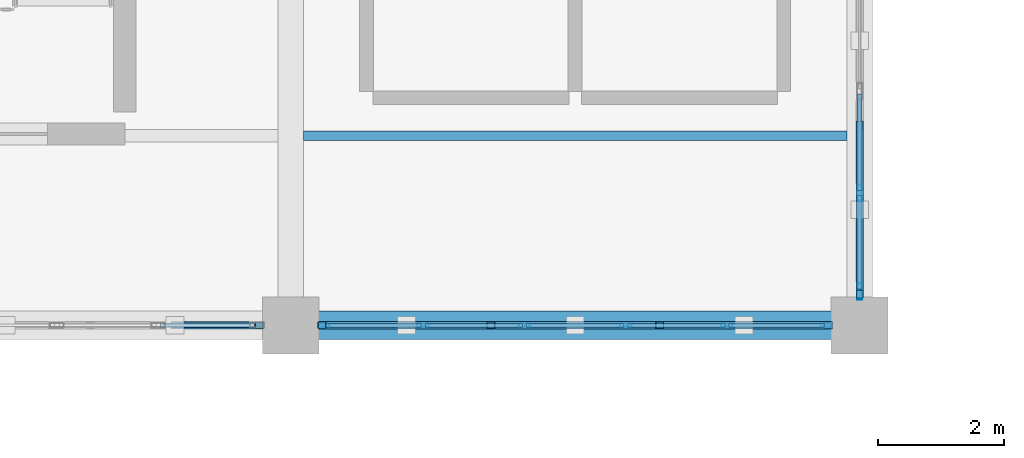
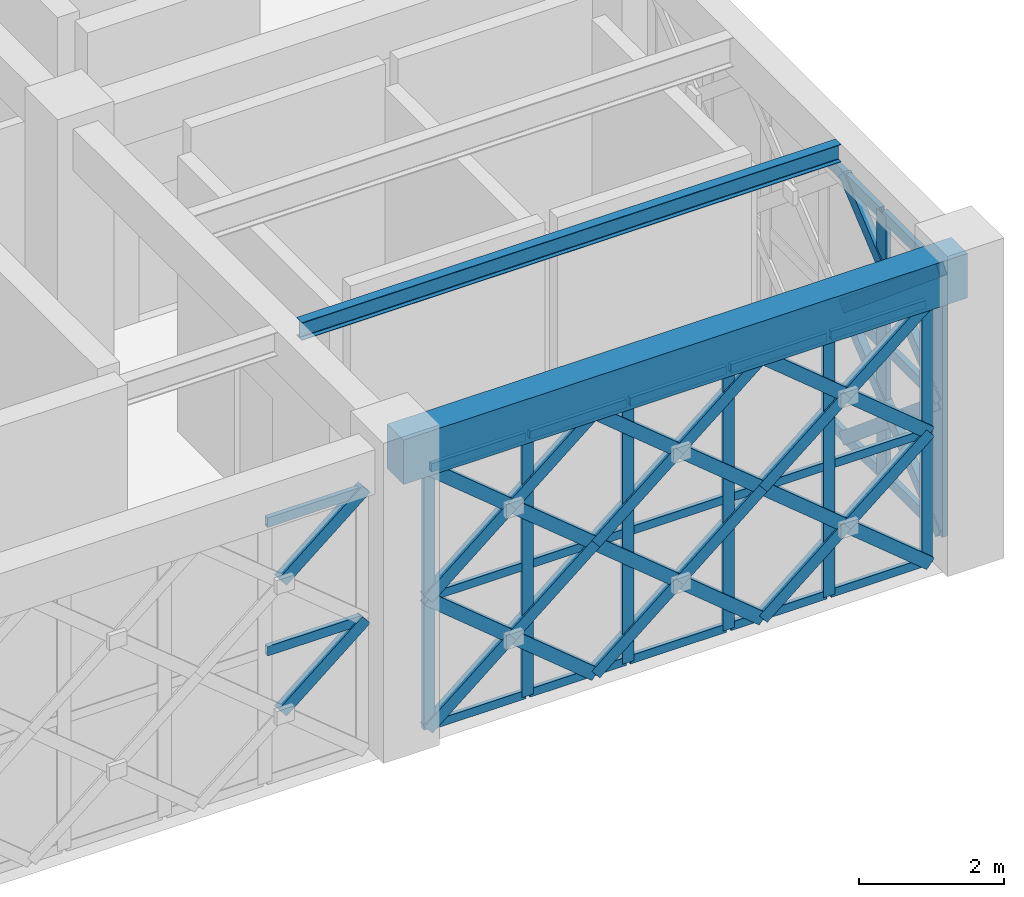
# One storey, part 97 of 155: 57 members, 2 beams, 3 elements without a shape of their own.
"""IFC4 building model written with IfcOpenShell, lengths in metres."""

from ifc_helpers import new_model, si_unit, direction, frame, origin, origin_2d, place, context, subcontext, project, spatial, rectangle, hollow_rectangle, i_section, extrude, material, material_profile, profile_set, type_object, element, aggregate, save


model = new_model("IFC4")

# Units and contexts
model_context = context("Model", 3, precision=1e-05, world=origin(), true_north=direction((0.0, 1.0)))
body_context = subcontext(model_context, "Body", "Model", "MODEL_VIEW")
ifc_project = project(units=[si_unit("LENGTHUNIT", "METRE"), si_unit("AREAUNIT", "SQUARE_METRE"), si_unit("VOLUMEUNIT", "CUBIC_METRE"), si_unit("PLANEANGLEUNIT", "RADIAN"), si_unit("MASSUNIT", "GRAM", prefix="KILO")], contexts=[model_context])

# Site, building, storey
site_placement = place(None, origin())
site = spatial("IfcSite", under=ifc_project, at=site_placement, CompositionType="ELEMENT")
building_placement = place(site_placement, origin())
building = spatial("IfcBuilding", under=site, at=building_placement, Name="Haizhuo Lancet Aquarium", CompositionType="ELEMENT")
storey_placement = place(building_placement, frame((0.0, 0.0, 10.800048828125)))
storey = spatial("IfcBuildingStorey", under=building, at=storey_placement, Name="L02", CompositionType="ELEMENT", Elevation=10.800048828125)

# Beam
ifc_material_1 = material(Name="Concrete C40/50", Category="concrete")
ifc_material_profile_1 = material_profile(ifc_material_1, rectangle(XDim=0.449951171875, YDim=0.75, at=origin_2d()), Name="RC-BM 450x750")
ifc_profile_set_1 = profile_set([ifc_material_profile_1], Name="Concrete C40/50")
beam_type_1 = type_object("IfcBeamType", Name="BM-RC-450x750", PredefinedType="BEAM", material=ifc_profile_set_1)
beam_1_placement = place(storey_placement, frame((63.0, -27.0, 4.784912109375), z_axis=(1.0, 0.0, 0.0), x_axis=(0.0, 1.0, 0.0)))
element("IfcBeam", 1, at=beam_1_placement, inside=storey, type_object=beam_type_1, Name="L02 V3 primary girder BM-L02-V3-023", PredefinedType="BEAM", context=body_context, shape_type="SweptSolid", body=[
    extrude(rectangle(XDim=0.449951171875, YDim=0.75, at=origin_2d()), origin(), (0.0, 0.0, 1.0), 9.0),
])

# Curtain wall, members
ifc_material_2 = material(Name="Aluminium 6063-T6", Category="aluminium")
curtain_wall_type_1 = type_object("IfcCurtainWallType", Name="CWO-8010x4410", PredefinedType="NOTDEFINED", material=ifc_material_2)
curtain_wall_1_placement = place(storey_placement, origin())
curtain_wall_1 = element("IfcCurtainWall", 2, at=curtain_wall_1_placement, inside=storey, type_object=curtain_wall_type_1, Name="L02 curtain wall CW-V3-L02-058", PredefinedType="NOTDEFINED")
ifc_material_profile_2 = material_profile(ifc_material_2, hollow_rectangle(XDim=0.06494140625, YDim=0.179931640625, WallThickness=0.00390625, at=origin_2d()), Name="ALU-M 65x180x4")
ifc_profile_set_2 = profile_set([ifc_material_profile_2], Name="Aluminium 6063-T6")
member_type_1 = type_object("IfcMemberType", Name="CW-MUL-1", PredefinedType="MULLION", material=ifc_profile_set_2)
member_1_placement = place(storey_placement, frame((71.471923828125, -27.0, 0.0), z_axis=(0.0, 0.0, 1.0), x_axis=(0.0, -1.0, 0.0)))
member_1 = element("IfcMember", 3, at=member_1_placement, type_object=member_type_1, Name="CWO-80x44 mullion 1", PredefinedType="MULLION", context=body_context, shape_type="SweptSolid", body=[
    extrude(hollow_rectangle(XDim=0.06494140625, YDim=0.179931640625, WallThickness=0.00390625, at=origin_2d()), origin(), (0.0, 0.0, 1.0), 4.409912109375),
])
member_2_placement = place(storey_placement, frame((69.903076171875, -27.0, 0.0), z_axis=(0.0, 0.0, 1.0), x_axis=(0.0, -1.0, 0.0)))
member_2 = element("IfcMember", 4, at=member_2_placement, type_object=member_type_1, Name="CWO-80x44 mullion 2", PredefinedType="MULLION", context=body_context, shape_type="SweptSolid", body=[
    extrude(hollow_rectangle(XDim=0.06494140625, YDim=0.179931640625, WallThickness=0.00390625, at=origin_2d()), origin(), (0.0, 0.0, 1.0), 4.409912109375),
])
member_3_placement = place(storey_placement, frame((68.301025390625, -27.0, 0.0), z_axis=(0.0, 0.0, 1.0), x_axis=(0.0, -1.0, 0.0)))
member_3 = element("IfcMember", 5, at=member_3_placement, type_object=member_type_1, Name="CWO-80x44 mullion 3", PredefinedType="MULLION", context=body_context, shape_type="SweptSolid", body=[
    extrude(hollow_rectangle(XDim=0.06494140625, YDim=0.179931640625, WallThickness=0.00390625, at=origin_2d()), origin(), (0.0, 0.0, 1.0), 4.409912109375),
])
member_4_placement = place(storey_placement, frame((66.698974609375, -27.0, 0.0), z_axis=(0.0, 0.0, 1.0), x_axis=(0.0, -1.0, 0.0)))
member_4 = element("IfcMember", 6, at=member_4_placement, type_object=member_type_1, Name="CWO-80x44 mullion 4", PredefinedType="MULLION", context=body_context, shape_type="SweptSolid", body=[
    extrude(hollow_rectangle(XDim=0.06494140625, YDim=0.179931640625, WallThickness=0.00390625, at=origin_2d()), origin(), (0.0, 0.0, 1.0), 4.409912109375),
])
member_5_placement = place(storey_placement, frame((65.096923828125, -27.0, 0.0), z_axis=(0.0, 0.0, 1.0), x_axis=(0.0, -1.0, 0.0)))
member_5 = element("IfcMember", 7, at=member_5_placement, type_object=member_type_1, Name="CWO-80x44 mullion 5", PredefinedType="MULLION", context=body_context, shape_type="SweptSolid", body=[
    extrude(hollow_rectangle(XDim=0.06494140625, YDim=0.179931640625, WallThickness=0.00390625, at=origin_2d()), origin(), (0.0, 0.0, 1.0), 4.409912109375),
])
member_6_placement = place(storey_placement, frame((63.527099609375, -27.0, 0.0), z_axis=(0.0, 0.0, 1.0), x_axis=(0.0, -1.0, 0.0)))
member_6 = element("IfcMember", 8, at=member_6_placement, type_object=member_type_1, Name="CWO-80x44 mullion 6", PredefinedType="MULLION", context=body_context, shape_type="SweptSolid", body=[
    extrude(hollow_rectangle(XDim=0.06494140625, YDim=0.179931640625, WallThickness=0.00390625, at=origin_2d()), origin(), (0.0, 0.0, 1.0), 4.409912109375),
])

curtain_wall_type_2 = type_object("IfcCurtainWallType", Name="CWO-8010x4460", PredefinedType="NOTDEFINED", material=ifc_material_2)
curtain_wall_2_placement = place(storey_placement, origin())
curtain_wall_2 = element("IfcCurtainWall", 9, at=curtain_wall_2_placement, inside=storey, type_object=curtain_wall_type_2, Name="L02 curtain wall CW-V3-L02-057", PredefinedType="NOTDEFINED")
ifc_material_profile_3 = material_profile(ifc_material_2, hollow_rectangle(XDim=0.080078125, YDim=0.260009765625, WallThickness=0.0048828125, at=origin_2d()), Name="ALU-M 80x260x5")
ifc_profile_set_3 = profile_set([ifc_material_profile_3], Name="Aluminium 6063-T6")
member_type_2 = type_object("IfcMemberType", Name="CW-MUL-3", PredefinedType="MULLION", material=ifc_profile_set_3)
member_7_placement = place(storey_placement, frame((72.0, -24.903076171875, 0.0), z_axis=(0.0, 0.0, 1.0), x_axis=(1.0, 0.0, 0.0)))
member_7 = element("IfcMember", 10, at=member_7_placement, type_object=member_type_2, Name="CWO-80x44 mullion 5", PredefinedType="MULLION", context=body_context, shape_type="SweptSolid", body=[
    extrude(hollow_rectangle(XDim=0.080078125, YDim=0.260009765625, WallThickness=0.0048828125, at=origin_2d()), origin(), (0.0, 0.0, 1.0), 4.4599609375),
])
member_8_placement = place(storey_placement, frame((72.0, -26.465087890625, 0.0), z_axis=(0.0, 0.0, 1.0), x_axis=(1.0, 0.0, 0.0)))
member_8 = element("IfcMember", 11, at=member_8_placement, type_object=member_type_2, Name="CWO-80x44 mullion 6", PredefinedType="MULLION", context=body_context, shape_type="SweptSolid", body=[
    extrude(hollow_rectangle(XDim=0.080078125, YDim=0.260009765625, WallThickness=0.0048828125, at=origin_2d()), origin(), (0.0, 0.0, 1.0), 4.4599609375),
])

# Member
ifc_material_profile_4 = material_profile(ifc_material_2, hollow_rectangle(XDim=0.06494140625, YDim=0.139892578125, WallThickness=0.00390625, at=origin_2d()), Name="ALU-T 65x140x4")
ifc_profile_set_4 = profile_set([ifc_material_profile_4], Name="Aluminium 6063-T6")
member_type_3 = type_object("IfcMemberType", Name="CW-TRN-1", PredefinedType="NOTDEFINED", material=ifc_profile_set_4)
member_9_placement = place(storey_placement, frame((71.43994140625, -27.0, 0.032958984375), z_axis=(-1.0, 0.0, 0.0), x_axis=(0.0, -1.0, 0.0)))
member_9 = element("IfcMember", 12, at=member_9_placement, type_object=member_type_3, Name="CWO-80x44 transom 1.1", ObjectType="TRANSOM", PredefinedType="USERDEFINED", context=body_context, shape_type="SweptSolid", body=[
    extrude(hollow_rectangle(XDim=0.06494140625, YDim=0.139892578125, WallThickness=0.00390625, at=origin_2d()), origin(), (0.0, 0.0, 1.0), 1.5048828125),
])

member_10_placement = place(storey_placement, frame((71.43994140625, -27.0, 2.204833984375), z_axis=(-1.0, 0.0, 0.0), x_axis=(0.0, -1.0, 0.0)))
member_10 = element("IfcMember", 13, at=member_10_placement, type_object=member_type_3, Name="CWO-80x44 transom 1.2", ObjectType="TRANSOM", PredefinedType="USERDEFINED", context=body_context, shape_type="SweptSolid", body=[
    extrude(hollow_rectangle(XDim=0.06494140625, YDim=0.139892578125, WallThickness=0.00390625, at=origin_2d()), origin(), (0.0, 0.0, 1.0), 1.5048828125),
])

member_11_placement = place(storey_placement, frame((71.43994140625, -27.0, 4.3779296875), z_axis=(-1.0, 0.0, 0.0), x_axis=(0.0, -1.0, 0.0)))
member_11 = element("IfcMember", 14, at=member_11_placement, type_object=member_type_3, Name="CWO-80x44 transom 1.3", ObjectType="TRANSOM", PredefinedType="USERDEFINED", context=body_context, shape_type="SweptSolid", body=[
    extrude(hollow_rectangle(XDim=0.06494140625, YDim=0.139892578125, WallThickness=0.00390625, at=origin_2d()), origin(), (0.0, 0.0, 1.0), 1.5048828125),
])

member_12_placement = place(storey_placement, frame((69.8701171875, -27.0, 0.032958984375), z_axis=(-1.0, 0.0, 0.0), x_axis=(0.0, -1.0, 0.0)))
member_12 = element("IfcMember", 15, at=member_12_placement, type_object=member_type_3, Name="CWO-80x44 transom 2.1", ObjectType="TRANSOM", PredefinedType="USERDEFINED", context=body_context, shape_type="SweptSolid", body=[
    extrude(hollow_rectangle(XDim=0.06494140625, YDim=0.139892578125, WallThickness=0.00390625, at=origin_2d()), origin(), (0.0, 0.0, 1.0), 1.5361328125),
])

member_13_placement = place(storey_placement, frame((69.8701171875, -27.0, 2.204833984375), z_axis=(-1.0, 0.0, 0.0), x_axis=(0.0, -1.0, 0.0)))
member_13 = element("IfcMember", 16, at=member_13_placement, type_object=member_type_3, Name="CWO-80x44 transom 2.2", ObjectType="TRANSOM", PredefinedType="USERDEFINED", context=body_context, shape_type="SweptSolid", body=[
    extrude(hollow_rectangle(XDim=0.06494140625, YDim=0.139892578125, WallThickness=0.00390625, at=origin_2d()), origin(), (0.0, 0.0, 1.0), 1.5361328125),
])

member_14_placement = place(storey_placement, frame((69.8701171875, -27.0, 4.3779296875), z_axis=(-1.0, 0.0, 0.0), x_axis=(0.0, -1.0, 0.0)))
member_14 = element("IfcMember", 17, at=member_14_placement, type_object=member_type_3, Name="CWO-80x44 transom 2.3", ObjectType="TRANSOM", PredefinedType="USERDEFINED", context=body_context, shape_type="SweptSolid", body=[
    extrude(hollow_rectangle(XDim=0.06494140625, YDim=0.139892578125, WallThickness=0.00390625, at=origin_2d()), origin(), (0.0, 0.0, 1.0), 1.5361328125),
])

member_15_placement = place(storey_placement, frame((68.26806640625, -27.0, 0.032958984375), z_axis=(-1.0, 0.0, 0.0), x_axis=(0.0, -1.0, 0.0)))
member_15 = element("IfcMember", 18, at=member_15_placement, type_object=member_type_3, Name="CWO-80x44 transom 3.1", ObjectType="TRANSOM", PredefinedType="USERDEFINED", context=body_context, shape_type="SweptSolid", body=[
    extrude(hollow_rectangle(XDim=0.06494140625, YDim=0.139892578125, WallThickness=0.00390625, at=origin_2d()), origin(), (0.0, 0.0, 1.0), 1.537109375),
])

member_16_placement = place(storey_placement, frame((68.26806640625, -27.0, 2.204833984375), z_axis=(-1.0, 0.0, 0.0), x_axis=(0.0, -1.0, 0.0)))
member_16 = element("IfcMember", 19, at=member_16_placement, type_object=member_type_3, Name="CWO-80x44 transom 3.2", ObjectType="TRANSOM", PredefinedType="USERDEFINED", context=body_context, shape_type="SweptSolid", body=[
    extrude(hollow_rectangle(XDim=0.06494140625, YDim=0.139892578125, WallThickness=0.00390625, at=origin_2d()), origin(), (0.0, 0.0, 1.0), 1.537109375),
])

member_17_placement = place(storey_placement, frame((68.26806640625, -27.0, 4.3779296875), z_axis=(-1.0, 0.0, 0.0), x_axis=(0.0, -1.0, 0.0)))
member_17 = element("IfcMember", 20, at=member_17_placement, type_object=member_type_3, Name="CWO-80x44 transom 3.3", ObjectType="TRANSOM", PredefinedType="USERDEFINED", context=body_context, shape_type="SweptSolid", body=[
    extrude(hollow_rectangle(XDim=0.06494140625, YDim=0.139892578125, WallThickness=0.00390625, at=origin_2d()), origin(), (0.0, 0.0, 1.0), 1.537109375),
])

member_18_placement = place(storey_placement, frame((66.666015625, -27.0, 0.032958984375), z_axis=(-1.0, 0.0, 0.0), x_axis=(0.0, -1.0, 0.0)))
member_18 = element("IfcMember", 21, at=member_18_placement, type_object=member_type_3, Name="CWO-80x44 transom 4.1", ObjectType="TRANSOM", PredefinedType="USERDEFINED", context=body_context, shape_type="SweptSolid", body=[
    extrude(hollow_rectangle(XDim=0.06494140625, YDim=0.139892578125, WallThickness=0.00390625, at=origin_2d()), origin(), (0.0, 0.0, 1.0), 1.537109375),
])

member_19_placement = place(storey_placement, frame((66.666015625, -27.0, 2.204833984375), z_axis=(-1.0, 0.0, 0.0), x_axis=(0.0, -1.0, 0.0)))
member_19 = element("IfcMember", 22, at=member_19_placement, type_object=member_type_3, Name="CWO-80x44 transom 4.2", ObjectType="TRANSOM", PredefinedType="USERDEFINED", context=body_context, shape_type="SweptSolid", body=[
    extrude(hollow_rectangle(XDim=0.06494140625, YDim=0.139892578125, WallThickness=0.00390625, at=origin_2d()), origin(), (0.0, 0.0, 1.0), 1.537109375),
])

member_20_placement = place(storey_placement, frame((66.666015625, -27.0, 4.3779296875), z_axis=(-1.0, 0.0, 0.0), x_axis=(0.0, -1.0, 0.0)))
member_20 = element("IfcMember", 23, at=member_20_placement, type_object=member_type_3, Name="CWO-80x44 transom 4.3", ObjectType="TRANSOM", PredefinedType="USERDEFINED", context=body_context, shape_type="SweptSolid", body=[
    extrude(hollow_rectangle(XDim=0.06494140625, YDim=0.139892578125, WallThickness=0.00390625, at=origin_2d()), origin(), (0.0, 0.0, 1.0), 1.537109375),
])

member_21_placement = place(storey_placement, frame((65.06396484375, -27.0, 0.032958984375), z_axis=(-1.0, 0.0, 0.0), x_axis=(0.0, -1.0, 0.0)))
member_21 = element("IfcMember", 24, at=member_21_placement, type_object=member_type_3, Name="CWO-80x44 transom 5.1", ObjectType="TRANSOM", PredefinedType="USERDEFINED", context=body_context, shape_type="SweptSolid", body=[
    extrude(hollow_rectangle(XDim=0.06494140625, YDim=0.139892578125, WallThickness=0.00390625, at=origin_2d()), origin(), (0.0, 0.0, 1.0), 1.50390625),
])

member_22_placement = place(storey_placement, frame((65.06396484375, -27.0, 2.204833984375), z_axis=(-1.0, 0.0, 0.0), x_axis=(0.0, -1.0, 0.0)))
member_22 = element("IfcMember", 25, at=member_22_placement, type_object=member_type_3, Name="CWO-80x44 transom 5.2", ObjectType="TRANSOM", PredefinedType="USERDEFINED", context=body_context, shape_type="SweptSolid", body=[
    extrude(hollow_rectangle(XDim=0.06494140625, YDim=0.139892578125, WallThickness=0.00390625, at=origin_2d()), origin(), (0.0, 0.0, 1.0), 1.50390625),
])

member_23_placement = place(storey_placement, frame((65.06396484375, -27.0, 4.3779296875), z_axis=(-1.0, 0.0, 0.0), x_axis=(0.0, -1.0, 0.0)))
member_23 = element("IfcMember", 26, at=member_23_placement, type_object=member_type_3, Name="CWO-80x44 transom 5.3", ObjectType="TRANSOM", PredefinedType="USERDEFINED", context=body_context, shape_type="SweptSolid", body=[
    extrude(hollow_rectangle(XDim=0.06494140625, YDim=0.139892578125, WallThickness=0.00390625, at=origin_2d()), origin(), (0.0, 0.0, 1.0), 1.50390625),
])

aggregate(curtain_wall_1, [member_1, member_2, member_3, member_4, member_5, member_6, member_9, member_10, member_11, member_12, member_13, member_14, member_15, member_16, member_17, member_18, member_19, member_20, member_21, member_22, member_23])

# Curtain wall, members
curtain_wall_3_placement = place(storey_placement, origin())
curtain_wall_3 = element("IfcCurtainWall", 27, at=curtain_wall_3_placement, inside=storey, type_object=curtain_wall_type_1, Name="L02 curtain wall CW-V3-L02-059", PredefinedType="NOTDEFINED")
ifc_material_profile_5 = material_profile(ifc_material_2, hollow_rectangle(XDim=0.074951171875, YDim=0.159912109375, WallThickness=0.00390625, at=origin_2d()), Name="ALU-T 75x160x4")
ifc_profile_set_5 = profile_set([ifc_material_profile_5], Name="Aluminium 6063-T6")
member_type_4 = type_object("IfcMemberType", Name="CW-TRN-2", PredefinedType="NOTDEFINED", material=ifc_profile_set_5)
member_24_placement = place(storey_placement, frame((62.429931640625, -27.0, 2.204833984375), z_axis=(-1.0, 0.0, 0.0), x_axis=(0.0, -1.0, 0.0)))
member_24 = element("IfcMember", 28, at=member_24_placement, type_object=member_type_4, Name="CWO-80x44 transom 1.2", ObjectType="TRANSOM", PredefinedType="USERDEFINED", context=body_context, shape_type="SweptSolid", body=[
    extrude(hollow_rectangle(XDim=0.074951171875, YDim=0.159912109375, WallThickness=0.00390625, at=origin_2d()), origin(), (0.0, 0.0, 1.0), 1.489013671875),
])
member_25_placement = place(storey_placement, frame((62.429931640625, -27.0, 4.373046875), z_axis=(-1.0, 0.0, 0.0), x_axis=(0.0, -1.0, 0.0)))
member_25 = element("IfcMember", 29, at=member_25_placement, type_object=member_type_4, Name="CWO-80x44 transom 1.3", ObjectType="TRANSOM", PredefinedType="USERDEFINED", context=body_context, shape_type="SweptSolid", body=[
    extrude(hollow_rectangle(XDim=0.074951171875, YDim=0.159912109375, WallThickness=0.00390625, at=origin_2d()), origin(), (0.0, 0.0, 1.0), 1.489013671875),
])
aggregate(curtain_wall_3, [member_24, member_25])

# Member
ifc_material_profile_6 = material_profile(ifc_material_2, hollow_rectangle(XDim=0.080078125, YDim=0.18994140625, WallThickness=0.0048828125, at=origin_2d()), Name="ALU-T 80x190x5")
ifc_profile_set_6 = profile_set([ifc_material_profile_6], Name="Aluminium 6063-T6")
member_type_5 = type_object("IfcMemberType", Name="CW-TRN-3", PredefinedType="NOTDEFINED", material=ifc_profile_set_6)
member_26_placement = place(storey_placement, frame((72.0, -23.341064453125, 0.0400390625), z_axis=(0.0, -1.0, 0.0), x_axis=(1.0, 0.0, 0.0)))
member_26 = element("IfcMember", 30, at=member_26_placement, type_object=member_type_5, Name="CWO-80x44 transom 4.1", ObjectType="TRANSOM", PredefinedType="USERDEFINED", context=body_context, shape_type="SweptSolid", body=[
    extrude(hollow_rectangle(XDim=0.080078125, YDim=0.18994140625, WallThickness=0.0048828125, at=origin_2d()), origin(), (0.0, 0.0, 1.0), 1.52197265625),
])

member_27_placement = place(storey_placement, frame((72.0, -23.341064453125, 2.22998046875), z_axis=(0.0, -1.0, 0.0), x_axis=(1.0, 0.0, 0.0)))
member_27 = element("IfcMember", 31, at=member_27_placement, type_object=member_type_5, Name="CWO-80x44 transom 4.2", ObjectType="TRANSOM", PredefinedType="USERDEFINED", context=body_context, shape_type="SweptSolid", body=[
    extrude(hollow_rectangle(XDim=0.080078125, YDim=0.18994140625, WallThickness=0.0048828125, at=origin_2d()), origin(), (0.0, 0.0, 1.0), 1.52197265625),
])

member_28_placement = place(storey_placement, frame((72.0, -23.341064453125, 4.419921875), z_axis=(0.0, -1.0, 0.0), x_axis=(1.0, 0.0, 0.0)))
member_28 = element("IfcMember", 32, at=member_28_placement, type_object=member_type_5, Name="CWO-80x44 transom 4.3", ObjectType="TRANSOM", PredefinedType="USERDEFINED", context=body_context, shape_type="SweptSolid", body=[
    extrude(hollow_rectangle(XDim=0.080078125, YDim=0.18994140625, WallThickness=0.0048828125, at=origin_2d()), origin(), (0.0, 0.0, 1.0), 1.52197265625),
])

member_29_placement = place(storey_placement, frame((72.0, -24.943115234375, 0.0400390625), z_axis=(0.0, -1.0, 0.0), x_axis=(1.0, 0.0, 0.0)))
member_29 = element("IfcMember", 33, at=member_29_placement, type_object=member_type_5, Name="CWO-80x44 transom 5.1", ObjectType="TRANSOM", PredefinedType="USERDEFINED", context=body_context, shape_type="SweptSolid", body=[
    extrude(hollow_rectangle(XDim=0.080078125, YDim=0.18994140625, WallThickness=0.0048828125, at=origin_2d()), origin(), (0.0, 0.0, 1.0), 1.48193359375),
])

member_30_placement = place(storey_placement, frame((72.0, -24.943115234375, 2.22998046875), z_axis=(0.0, -1.0, 0.0), x_axis=(1.0, 0.0, 0.0)))
member_30 = element("IfcMember", 34, at=member_30_placement, type_object=member_type_5, Name="CWO-80x44 transom 5.2", ObjectType="TRANSOM", PredefinedType="USERDEFINED", context=body_context, shape_type="SweptSolid", body=[
    extrude(hollow_rectangle(XDim=0.080078125, YDim=0.18994140625, WallThickness=0.0048828125, at=origin_2d()), origin(), (0.0, 0.0, 1.0), 1.48193359375),
])

member_31_placement = place(storey_placement, frame((72.0, -24.943115234375, 4.419921875), z_axis=(0.0, -1.0, 0.0), x_axis=(1.0, 0.0, 0.0)))
member_31 = element("IfcMember", 35, at=member_31_placement, type_object=member_type_5, Name="CWO-80x44 transom 5.3", ObjectType="TRANSOM", PredefinedType="USERDEFINED", context=body_context, shape_type="SweptSolid", body=[
    extrude(hollow_rectangle(XDim=0.080078125, YDim=0.18994140625, WallThickness=0.0048828125, at=origin_2d()), origin(), (0.0, 0.0, 1.0), 1.48193359375),
])

aggregate(curtain_wall_2, [member_7, member_8, member_26, member_27, member_28, member_29, member_30, member_31])

# Beam
ifc_material_3 = material(Name="Steel S355", Category="steel")
ifc_material_profile_7 = material_profile(ifc_material_3, i_section(OverallWidth=0.14990234375, OverallDepth=0.300048828125, WebThickness=0.006591796875, FlangeThickness=0.009033203125, FilletRadius=0.012939453125, at=origin_2d()), Name="HN 300x150x6.5x9")
ifc_profile_set_7 = profile_set([ifc_material_profile_7], Name="Steel S355")
beam_type_2 = type_object("IfcBeamType", Name="JST-ST-HN300", PredefinedType="JOIST", material=ifc_profile_set_7)
beam_2_placement = place(storey_placement, frame((63.199951171875, -24.0, 5.010009765625), z_axis=(1.0, 0.0, 0.0), x_axis=(0.0, 1.0, 0.0)))
element("IfcBeam", 36, at=beam_2_placement, inside=storey, type_object=beam_type_2, Name="L02 V3 secondary floor joist 11", PredefinedType="JOIST", context=body_context, shape_type="SweptSolid", body=[
    extrude(i_section(OverallWidth=0.14990234375, OverallDepth=0.300048828125, WebThickness=0.006591796875, FlangeThickness=0.009033203125, FilletRadius=0.012939453125, at=origin_2d()), origin(), (0.0, 0.0, 1.0), 8.60009765625),
])

# Members
ifc_material_profile_8 = material_profile(ifc_material_3, hollow_rectangle(XDim=0.1201171875, YDim=0.199951171875, WallThickness=0.008056640625, at=origin_2d()), Name="RHS 120x200x8")
ifc_profile_set_8 = profile_set([ifc_material_profile_8], Name="Steel S355")
member_type_6 = type_object("IfcMemberType", Name="MEM-LB-RHS120x200", PredefinedType="BRACE", material=ifc_profile_set_8)
member_32_placement = place(storey_placement, frame((72.0, -23.8349609375, 0.0), z_axis=(0.0, -0.767507480131, 0.641039989348), x_axis=(1.0, 0.0, 0.0)))
element("IfcMember", 37, at=member_32_placement, inside=storey, type_object=member_type_6, Name="Gothic lancet continuous diagonal brace CW-V3-L02-057 5A", PredefinedType="BRACE", context=body_context, shape_type="SweptSolid", body=[
    extrude(hollow_rectangle(XDim=0.1201171875, YDim=0.199951171875, WallThickness=0.008056640625, at=origin_2d()), origin(), (0.0, 0.0, 1.0), 3.478759765625),
])
for number, where, z_axis, x_axis, name in (
    (38, (72.0, -26.5048828125, 0.0), (0.0, 0.767507480131, 0.641039989348), (-1.0, 0.0, 0.0), "Gothic lancet split diagonal brace CW-V3-L02-057 5B1"),
    (39, (72.0, -25.169921875, 1.114990234375), (0.0, 0.767507480131, 0.641039989348), (-1.0, 0.0, 0.0), "Gothic lancet split diagonal brace CW-V3-L02-057 5B2"),
):
    element("IfcMember", number, at=place(storey_placement, frame(where, z_axis=z_axis, x_axis=x_axis)), inside=storey, type_object=member_type_6, Name=name, PredefinedType="BRACE", context=body_context, shape_type="SweptSolid", body=[
        extrude(hollow_rectangle(XDim=0.1201171875, YDim=0.199951171875, WallThickness=0.008056640625, at=origin_2d()), origin(), (0.0, 0.0, 1.0), 1.7392578125),
    ])
member_33_placement = place(storey_placement, frame((72.0, -23.8349609375, 2.22998046875), z_axis=(0.0, -0.767507480131, 0.641039989348), x_axis=(1.0, 0.0, 0.0)))
element("IfcMember", 40, at=member_33_placement, inside=storey, type_object=member_type_6, Name="Gothic lancet continuous diagonal brace CW-V3-L02-057 6A", PredefinedType="BRACE", context=body_context, shape_type="SweptSolid", body=[
    extrude(hollow_rectangle(XDim=0.1201171875, YDim=0.199951171875, WallThickness=0.008056640625, at=origin_2d()), origin(), (0.0, 0.0, 1.0), 3.478759765625),
])
for number, where, z_axis, x_axis, name in (
    (41, (72.0, -26.5048828125, 2.22998046875), (0.0, 0.767507480131, 0.641039989348), (-1.0, 0.0, 0.0), "Gothic lancet split diagonal brace CW-V3-L02-057 6B1"),
    (42, (72.0, -25.169921875, 3.344970703125), (0.0, 0.767507480131, 0.641039989348), (-1.0, 0.0, 0.0), "Gothic lancet split diagonal brace CW-V3-L02-057 6B2"),
):
    element("IfcMember", number, at=place(storey_placement, frame(where, z_axis=z_axis, x_axis=x_axis)), inside=storey, type_object=member_type_6, Name=name, PredefinedType="BRACE", context=body_context, shape_type="SweptSolid", body=[
        extrude(hollow_rectangle(XDim=0.1201171875, YDim=0.199951171875, WallThickness=0.008056640625, at=origin_2d()), origin(), (0.0, 0.0, 1.0), 1.7392578125),
    ])
member_34_placement = place(storey_placement, frame((71.5048828125, -27.0, 0.0), z_axis=(-0.771068610934, 0.0, 0.636752068887), x_axis=(0.0, -1.0, 0.0)))
element("IfcMember", 43, at=member_34_placement, inside=storey, type_object=member_type_6, Name="Gothic lancet continuous diagonal brace CW-V3-L02-058 1A", PredefinedType="BRACE", context=body_context, shape_type="SweptSolid", body=[
    extrude(hollow_rectangle(XDim=0.1201171875, YDim=0.199951171875, WallThickness=0.008056640625, at=origin_2d()), origin(), (0.0, 0.0, 1.0), 3.462646484375),
])
member_35_placement = place(storey_placement, frame((68.8349609375, -27.0, 0.0), z_axis=(0.771172467693, 0.0, 0.63662628368), x_axis=(0.0, 1.0, 0.0)))
element("IfcMember", 44, at=member_35_placement, inside=storey, type_object=member_type_6, Name="Gothic lancet split diagonal brace CW-V3-L02-058 1B1", PredefinedType="BRACE", context=body_context, shape_type="SweptSolid", body=[
    extrude(hollow_rectangle(XDim=0.1201171875, YDim=0.199951171875, WallThickness=0.008056640625, at=origin_2d()), origin(), (0.0, 0.0, 1.0), 1.731201171875),
])
member_36_placement = place(storey_placement, frame((70.169921875, -27.0, 1.10205078125), z_axis=(0.77096476164, 0.0, 0.636877803279), x_axis=(0.0, 1.0, 0.0)))
element("IfcMember", 45, at=member_36_placement, inside=storey, type_object=member_type_6, Name="Gothic lancet split diagonal brace CW-V3-L02-058 1B2", PredefinedType="BRACE", context=body_context, shape_type="SweptSolid", body=[
    extrude(hollow_rectangle(XDim=0.1201171875, YDim=0.199951171875, WallThickness=0.008056640625, at=origin_2d()), origin(), (0.0, 0.0, 1.0), 1.7314453125),
])
member_37_placement = place(storey_placement, frame((71.5048828125, -27.0, 2.204833984375), z_axis=(-0.771033993673, 0.0, 0.636793985996), x_axis=(0.0, -1.0, 0.0)))
element("IfcMember", 46, at=member_37_placement, inside=storey, type_object=member_type_6, Name="Gothic lancet continuous diagonal brace CW-V3-L02-058 2A", PredefinedType="BRACE", context=body_context, shape_type="SweptSolid", body=[
    extrude(hollow_rectangle(XDim=0.1201171875, YDim=0.199951171875, WallThickness=0.008056640625, at=origin_2d()), origin(), (0.0, 0.0, 1.0), 3.462890625),
])
member_38_placement = place(storey_placement, frame((68.8349609375, -27.0, 2.204833984375), z_axis=(0.770895532931, 0.0, 0.636961597985), x_axis=(0.0, 1.0, 0.0)))
element("IfcMember", 47, at=member_38_placement, inside=storey, type_object=member_type_6, Name="Gothic lancet split diagonal brace CW-V3-L02-058 2B1", PredefinedType="BRACE", context=body_context, shape_type="SweptSolid", body=[
    extrude(hollow_rectangle(XDim=0.1201171875, YDim=0.199951171875, WallThickness=0.008056640625, at=origin_2d()), origin(), (0.0, 0.0, 1.0), 1.731689453125),
])
member_39_placement = place(storey_placement, frame((70.169921875, -27.0, 3.307861328125), z_axis=(0.771172467693, 0.0, 0.63662628368), x_axis=(0.0, 1.0, 0.0)))
element("IfcMember", 48, at=member_39_placement, inside=storey, type_object=member_type_6, Name="Gothic lancet split diagonal brace CW-V3-L02-058 2B2", PredefinedType="BRACE", context=body_context, shape_type="SweptSolid", body=[
    extrude(hollow_rectangle(XDim=0.1201171875, YDim=0.199951171875, WallThickness=0.008056640625, at=origin_2d()), origin(), (0.0, 0.0, 1.0), 1.731201171875),
])
member_40_placement = place(storey_placement, frame((68.8349609375, -27.0, 0.0), z_axis=(-0.771068610934, 0.0, 0.636752068887), x_axis=(0.0, -1.0, 0.0)))
element("IfcMember", 49, at=member_40_placement, inside=storey, type_object=member_type_6, Name="Gothic lancet continuous diagonal brace CW-V3-L02-058 3A", PredefinedType="BRACE", context=body_context, shape_type="SweptSolid", body=[
    extrude(hollow_rectangle(XDim=0.1201171875, YDim=0.199951171875, WallThickness=0.008056640625, at=origin_2d()), origin(), (0.0, 0.0, 1.0), 3.462646484375),
])
member_41_placement = place(storey_placement, frame((66.1650390625, -27.0, 0.0), z_axis=(0.771172467693, 0.0, 0.63662628368), x_axis=(0.0, 1.0, 0.0)))
element("IfcMember", 50, at=member_41_placement, inside=storey, type_object=member_type_6, Name="Gothic lancet split diagonal brace CW-V3-L02-058 3B1", PredefinedType="BRACE", context=body_context, shape_type="SweptSolid", body=[
    extrude(hollow_rectangle(XDim=0.1201171875, YDim=0.199951171875, WallThickness=0.008056640625, at=origin_2d()), origin(), (0.0, 0.0, 1.0), 1.731201171875),
])
member_42_placement = place(storey_placement, frame((67.5, -27.0, 1.10205078125), z_axis=(0.77096476164, 0.0, 0.636877803279), x_axis=(0.0, 1.0, 0.0)))
element("IfcMember", 51, at=member_42_placement, inside=storey, type_object=member_type_6, Name="Gothic lancet split diagonal brace CW-V3-L02-058 3B2", PredefinedType="BRACE", context=body_context, shape_type="SweptSolid", body=[
    extrude(hollow_rectangle(XDim=0.1201171875, YDim=0.199951171875, WallThickness=0.008056640625, at=origin_2d()), origin(), (0.0, 0.0, 1.0), 1.7314453125),
])
member_43_placement = place(storey_placement, frame((68.8349609375, -27.0, 2.204833984375), z_axis=(-0.771033993673, 0.0, 0.636793985996), x_axis=(0.0, -1.0, 0.0)))
element("IfcMember", 52, at=member_43_placement, inside=storey, type_object=member_type_6, Name="Gothic lancet continuous diagonal brace CW-V3-L02-058 4A", PredefinedType="BRACE", context=body_context, shape_type="SweptSolid", body=[
    extrude(hollow_rectangle(XDim=0.1201171875, YDim=0.199951171875, WallThickness=0.008056640625, at=origin_2d()), origin(), (0.0, 0.0, 1.0), 3.462890625),
])
member_44_placement = place(storey_placement, frame((66.1650390625, -27.0, 2.204833984375), z_axis=(0.770895532931, 0.0, 0.636961597985), x_axis=(0.0, 1.0, 0.0)))
element("IfcMember", 53, at=member_44_placement, inside=storey, type_object=member_type_6, Name="Gothic lancet split diagonal brace CW-V3-L02-058 4B1", PredefinedType="BRACE", context=body_context, shape_type="SweptSolid", body=[
    extrude(hollow_rectangle(XDim=0.1201171875, YDim=0.199951171875, WallThickness=0.008056640625, at=origin_2d()), origin(), (0.0, 0.0, 1.0), 1.731689453125),
])
member_45_placement = place(storey_placement, frame((67.5, -27.0, 3.307861328125), z_axis=(0.771172467693, 0.0, 0.63662628368), x_axis=(0.0, 1.0, 0.0)))
element("IfcMember", 54, at=member_45_placement, inside=storey, type_object=member_type_6, Name="Gothic lancet split diagonal brace CW-V3-L02-058 4B2", PredefinedType="BRACE", context=body_context, shape_type="SweptSolid", body=[
    extrude(hollow_rectangle(XDim=0.1201171875, YDim=0.199951171875, WallThickness=0.008056640625, at=origin_2d()), origin(), (0.0, 0.0, 1.0), 1.731201171875),
])
member_46_placement = place(storey_placement, frame((66.1650390625, -27.0, 0.0), z_axis=(-0.771068610934, 0.0, 0.636752068887), x_axis=(0.0, -1.0, 0.0)))
element("IfcMember", 55, at=member_46_placement, inside=storey, type_object=member_type_6, Name="Gothic lancet continuous diagonal brace CW-V3-L02-058 5A", PredefinedType="BRACE", context=body_context, shape_type="SweptSolid", body=[
    extrude(hollow_rectangle(XDim=0.1201171875, YDim=0.199951171875, WallThickness=0.008056640625, at=origin_2d()), origin(), (0.0, 0.0, 1.0), 3.462646484375),
])
member_47_placement = place(storey_placement, frame((63.4951171875, -27.0, 0.0), z_axis=(0.771172467693, 0.0, 0.63662628368), x_axis=(0.0, 1.0, 0.0)))
element("IfcMember", 56, at=member_47_placement, inside=storey, type_object=member_type_6, Name="Gothic lancet split diagonal brace CW-V3-L02-058 5B1", PredefinedType="BRACE", context=body_context, shape_type="SweptSolid", body=[
    extrude(hollow_rectangle(XDim=0.1201171875, YDim=0.199951171875, WallThickness=0.008056640625, at=origin_2d()), origin(), (0.0, 0.0, 1.0), 1.731201171875),
])
member_48_placement = place(storey_placement, frame((64.830078125, -27.0, 1.10205078125), z_axis=(0.77096476164, 0.0, 0.636877803279), x_axis=(0.0, 1.0, 0.0)))
element("IfcMember", 57, at=member_48_placement, inside=storey, type_object=member_type_6, Name="Gothic lancet split diagonal brace CW-V3-L02-058 5B2", PredefinedType="BRACE", context=body_context, shape_type="SweptSolid", body=[
    extrude(hollow_rectangle(XDim=0.1201171875, YDim=0.199951171875, WallThickness=0.008056640625, at=origin_2d()), origin(), (0.0, 0.0, 1.0), 1.7314453125),
])
member_49_placement = place(storey_placement, frame((66.1650390625, -27.0, 2.204833984375), z_axis=(-0.771033993673, 0.0, 0.636793985996), x_axis=(0.0, -1.0, 0.0)))
element("IfcMember", 58, at=member_49_placement, inside=storey, type_object=member_type_6, Name="Gothic lancet continuous diagonal brace CW-V3-L02-058 6A", PredefinedType="BRACE", context=body_context, shape_type="SweptSolid", body=[
    extrude(hollow_rectangle(XDim=0.1201171875, YDim=0.199951171875, WallThickness=0.008056640625, at=origin_2d()), origin(), (0.0, 0.0, 1.0), 3.462890625),
])
member_50_placement = place(storey_placement, frame((63.4951171875, -27.0, 2.204833984375), z_axis=(0.770895532931, 0.0, 0.636961597985), x_axis=(0.0, 1.0, 0.0)))
element("IfcMember", 59, at=member_50_placement, inside=storey, type_object=member_type_6, Name="Gothic lancet split diagonal brace CW-V3-L02-058 6B1", PredefinedType="BRACE", context=body_context, shape_type="SweptSolid", body=[
    extrude(hollow_rectangle(XDim=0.1201171875, YDim=0.199951171875, WallThickness=0.008056640625, at=origin_2d()), origin(), (0.0, 0.0, 1.0), 1.731689453125),
])
member_51_placement = place(storey_placement, frame((64.830078125, -27.0, 3.307861328125), z_axis=(0.771172467693, 0.0, 0.63662628368), x_axis=(0.0, 1.0, 0.0)))
element("IfcMember", 60, at=member_51_placement, inside=storey, type_object=member_type_6, Name="Gothic lancet split diagonal brace CW-V3-L02-058 6B2", PredefinedType="BRACE", context=body_context, shape_type="SweptSolid", body=[
    extrude(hollow_rectangle(XDim=0.1201171875, YDim=0.199951171875, WallThickness=0.008056640625, at=origin_2d()), origin(), (0.0, 0.0, 1.0), 1.731201171875),
])
member_52_placement = place(storey_placement, frame((61.169921875, -27.0, 1.10205078125), z_axis=(0.77096476164, 0.0, 0.636877803279), x_axis=(0.0, 1.0, 0.0)))
element("IfcMember", 61, at=member_52_placement, inside=storey, type_object=member_type_6, Name="Gothic lancet split diagonal brace CW-V3-L02-059 1B2", PredefinedType="BRACE", context=body_context, shape_type="SweptSolid", body=[
    extrude(hollow_rectangle(XDim=0.1201171875, YDim=0.199951171875, WallThickness=0.008056640625, at=origin_2d()), origin(), (0.0, 0.0, 1.0), 1.7314453125),
])
member_53_placement = place(storey_placement, frame((61.169921875, -27.0, 3.307861328125), z_axis=(0.771172467693, 0.0, 0.63662628368), x_axis=(0.0, 1.0, 0.0)))
element("IfcMember", 62, at=member_53_placement, inside=storey, type_object=member_type_6, Name="Gothic lancet split diagonal brace CW-V3-L02-059 2B2", PredefinedType="BRACE", context=body_context, shape_type="SweptSolid", body=[
    extrude(hollow_rectangle(XDim=0.1201171875, YDim=0.199951171875, WallThickness=0.008056640625, at=origin_2d()), origin(), (0.0, 0.0, 1.0), 1.731201171875),
])

save(model, "model.ifc")
